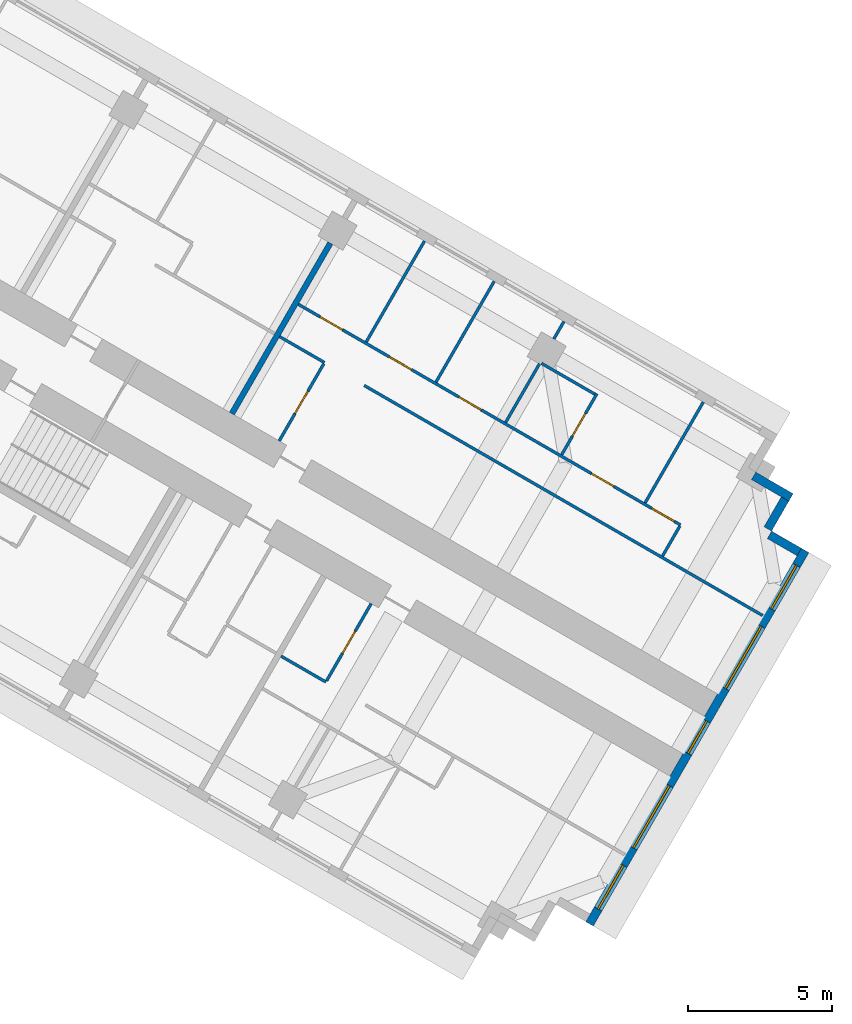
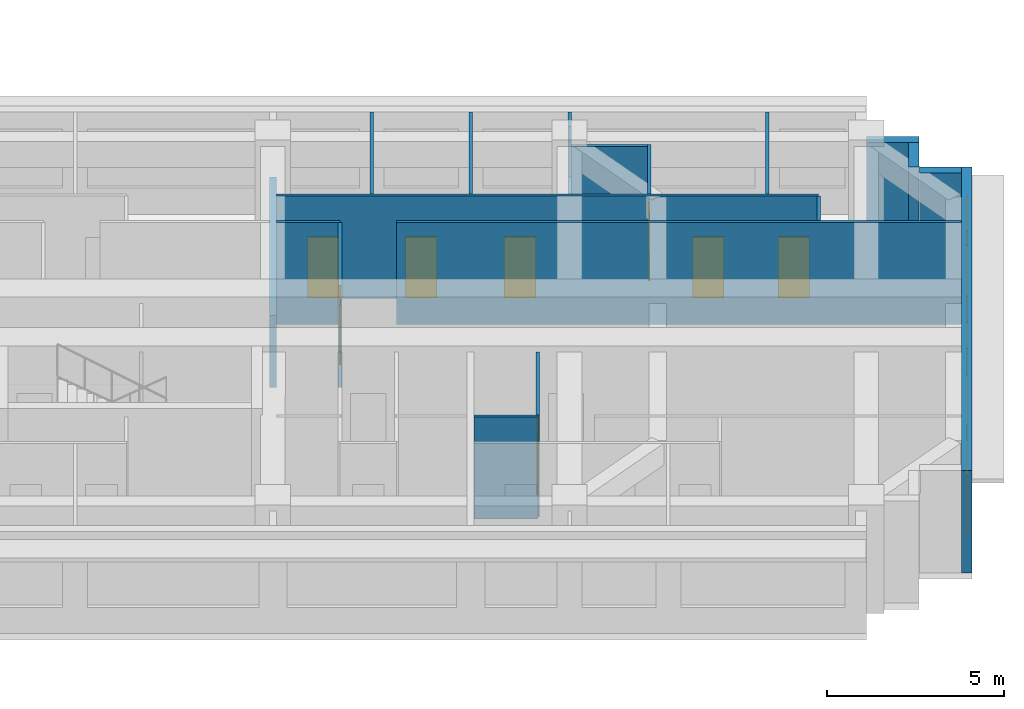
# One storey, part 11 of 14: 19 walls, 8 doors, 5 windows, 13 openings.
"""IFC4 building model written with IfcOpenShell, lengths in metres."""

import ifcopenshell
import ifcopenshell.guid

model = None  # the IFC model being written
_history = None  # IfcOwnerHistory: only IFC2X3 demands one
_inside = {}  # id of a spatial element -> (the spatial element, [elements in it])
_under = {}  # id of a project, library or spatial element -> (it, [spatial elements below it])
_declared = {}  # id of a project -> (the project, [libraries it declares])
_typed = {}  # id of a type object -> (the type object, [elements of that type])
_made_of = {}  # id of a material, layer set ... -> (it, [elements and type objects made of it])


def new_model(schema):
    """Start an empty IFC model of exactly this schema.

    Asked for "IFC4X3", IfcOpenShell would pick the latest addendum, in which some entities
    have other attributes; the version numbers below select the first issue.
    IFC2X3 requires an IfcOwnerHistory on every rooted entity: one is made here for all.
    """
    global model, _history
    if schema == "IFC4X3":
        model = ifcopenshell.file(schema_version=(4, 3, 0, 0))
    else:
        model = ifcopenshell.file(schema=schema)
    _inside.clear()
    _under.clear()
    _declared.clear()
    _typed.clear()
    _made_of.clear()
    _history = None
    if model.schema == "IFC2X3":
        org = make("IfcOrganization", Name="unknown")
        user = make(
            "IfcPersonAndOrganization",
            ThePerson=make("IfcPerson", FamilyName="unknown"),
            TheOrganization=org,
        )
        app = make(
            "IfcApplication",
            ApplicationDeveloper=org,
            Version="unknown",
            ApplicationFullName="unknown",
            ApplicationIdentifier="unknown",
        )
        _history = make(
            "IfcOwnerHistory",
            OwningUser=user,
            OwningApplication=app,
            ChangeAction="ADDED",
            CreationDate=0,
        )
    return model


def make(cls, **values):
    """One entity of the class cls with the attributes given. An attribute that is None is left unset."""
    return model.create_entity(
        cls, **{name: value for name, value in values.items() if value is not None}
    )


def rooted(cls, **values):
    """An entity with a GlobalId (a new one), such as an element, a storey or a relation."""
    return make(cls, GlobalId=ifcopenshell.guid.new(), OwnerHistory=_history, **values)


def si_unit(unit_type, name, prefix=None):
    """IfcSIUnit, for example si_unit("LENGTHUNIT", "METRE", prefix="MILLI")."""
    return make("IfcSIUnit", UnitType=unit_type, Prefix=prefix, Name=name)


def assignment(units):
    """IfcUnitAssignment: the units of a project."""
    return None if units is None else make("IfcUnitAssignment", Units=units)


def point(xyz):
    """IfcCartesianPoint."""
    return None if xyz is None else make("IfcCartesianPoint", Coordinates=xyz)


def direction(xyz):
    """IfcDirection."""
    return None if xyz is None else make("IfcDirection", DirectionRatios=xyz)


def frame(location, z_axis=None, x_axis=None):
    """IfcAxis2Placement3D, a coordinate frame: its origin and axes. An axis left out is left unset."""
    return make(
        "IfcAxis2Placement3D",
        Location=point(location),
        Axis=direction(z_axis),
        RefDirection=direction(x_axis),
    )


def frame_2d(location, x_axis=None):
    """IfcAxis2Placement2D, a coordinate frame in the plane: its origin and x axis."""
    return make(
        "IfcAxis2Placement2D", Location=point(location), RefDirection=direction(x_axis)
    )


def origin():
    """The frame at (0, 0, 0) with its axes left unset."""
    return frame((0.0, 0.0, 0.0))


def place(relative_to, where):
    """IfcLocalPlacement: puts the frame where relative to a parent placement (None: the world)."""
    return make(
        "IfcLocalPlacement", PlacementRelTo=relative_to, RelativePlacement=where
    )


def context(
    kind, dimensions, precision=None, world=None, true_north=None, identifier=None
):
    """IfcGeometricRepresentationContext, for example the 3D "Model" context."""
    return make(
        "IfcGeometricRepresentationContext",
        ContextIdentifier=identifier,
        ContextType=kind,
        CoordinateSpaceDimension=dimensions,
        Precision=precision,
        WorldCoordinateSystem=world,
        TrueNorth=true_north,
    )


def subcontext(parent, identifier, kind, view, scale=None):
    """IfcGeometricRepresentationSubContext, for example "Body" below "Model"."""
    return make(
        "IfcGeometricRepresentationSubContext",
        ContextIdentifier=identifier,
        ContextType=kind,
        ParentContext=parent,
        TargetScale=scale,
        TargetView=view,
    )


def project(units=None, contexts=None):
    """IfcProject with its units and contexts."""
    return rooted(
        "IfcProject",
        Name="project",
        RepresentationContexts=contexts,
        UnitsInContext=assignment(units),
    )


def spatial(cls, under=None, at=None, **own):
    """A site, building, storey or space (cls), placed at a placement, below another one or the project."""
    s = rooted(cls, ObjectPlacement=at, **own)
    if under is not None:
        _under.setdefault(under.id(), (under, []))[1].append(s)
    return s


def profile(cls, at=None, kind="AREA", **sizes):
    """A parametric profile (cls). Its sizes go by their IFC names, for example OverallWidth=200.0."""
    return make(cls, ProfileType=kind, Position=at, **sizes)


def rectangle(**sizes):
    """IfcRectangleProfileDef."""
    return profile("IfcRectangleProfileDef", **sizes)


def extrude(swept, where, along, depth):
    """IfcExtrudedAreaSolid: the profile swept, set in the frame where, extruded along a direction by depth."""
    return make(
        "IfcExtrudedAreaSolid",
        SweptArea=swept,
        Position=where,
        ExtrudedDirection=direction(along),
        Depth=depth,
    )


def shape(context_of_items, identifier, shape_type, items):
    """IfcShapeRepresentation: the items that make up one representation, for example the "Body"."""
    return make(
        "IfcShapeRepresentation",
        ContextOfItems=context_of_items,
        RepresentationIdentifier=identifier,
        RepresentationType=shape_type,
        Items=items,
    )


def material(Name=None, Category=None):
    """IfcMaterial."""
    return make("IfcMaterial", Name=Name, Category=Category)


def layer(
    of_material, thickness, ventilated=None, Name=None, Category=None, Priority=None
):
    """IfcMaterialLayer: one layer of a wall or slab, of a material (None: an air gap)."""
    return make(
        "IfcMaterialLayer",
        Material=of_material,
        LayerThickness=thickness,
        IsVentilated=ventilated,
        Name=Name,
        Category=Category,
        Priority=Priority,
    )


def layer_set(layers, Name=None):
    """IfcMaterialLayerSet."""
    return make("IfcMaterialLayerSet", MaterialLayers=layers, LayerSetName=Name)


def made_of(thing, what):
    """Note that an element or type object is made of a material, layer set ...; save() writes the relation."""
    if what is not None:
        _made_of.setdefault(what.id(), (what, []))[1].append(thing)
    return thing


def type_object(cls, material=None, **own):
    """A type object (cls), such as IfcWallType, which elements share."""
    return made_of(rooted(cls, **own), material)


def element(
    cls,
    number,
    at=None,
    inside=None,
    cuts=None,
    type_object=None,
    material=None,
    context=None,
    identifier="Body",
    shape_type=None,
    held_by="IfcProductDefinitionShape",
    body=None,
    shapes=None,
    **own,
):
    """One element of the class cls, such as IfcWall. Its Tag is "e" and its number.

    at: its placement. inside: the storey or other place that contains it. cuts: it is an
    opening in that element (IfcRelVoidsElement). A single representation is given by context,
    identifier, shape_type and body (its items); several are given by shapes. held_by: the class
    of the entity that holds the representations. save() writes the other relations.
    """
    e = rooted(cls, Tag="e%d" % number, ObjectPlacement=at, **own)
    if body is not None:
        shapes = [shape(context, identifier, shape_type, body)]
    if shapes is not None:
        e.Representation = make(held_by, Representations=shapes)
    if inside is not None:
        _inside.setdefault(inside.id(), (inside, []))[1].append(e)
    if cuts is not None:
        rooted(
            "IfcRelVoidsElement", RelatingBuildingElement=cuts, RelatedOpeningElement=e
        )
    if type_object is not None:
        _typed.setdefault(type_object.id(), (type_object, []))[1].append(e)
    return made_of(e, material)


def fill(opening, filler):
    """IfcRelFillsElement: the door or window that sits in an opening."""
    return rooted(
        "IfcRelFillsElement",
        RelatingOpeningElement=opening,
        RelatedBuildingElement=filler,
    )


def aggregate(whole, parts):
    """IfcRelAggregates: a whole, such as a stair, and the parts it consists of."""
    return rooted("IfcRelAggregates", RelatingObject=whole, RelatedObjects=parts)


def save(model, path):
    """Write the relations noted so far, then the file.

    IfcRelAggregates (storeys below a building ...), IfcRelContainedInSpatialStructure (elements
    in a storey), IfcRelDefinesByType, IfcRelAssociatesMaterial and IfcRelDeclares: one each for
    every whole, place, type object, material and project.
    """
    for whole, parts in _under.values():
        aggregate(whole, parts)
    for where, things in _inside.values():
        rooted(
            "IfcRelContainedInSpatialStructure",
            RelatedElements=things,
            RelatingStructure=where,
        )
    for kind, things in _typed.values():
        rooted("IfcRelDefinesByType", RelatedObjects=things, RelatingType=kind)
    for what, things in _made_of.values():
        rooted("IfcRelAssociatesMaterial", RelatedObjects=things, RelatingMaterial=what)
    for by, libraries in _declared.values():
        rooted("IfcRelDeclares", RelatingContext=by, RelatedDefinitions=libraries)
    model.write(path)


model = new_model("IFC4")

# Units and contexts
model_context = context("Model", 3, precision=1e-05, world=origin(), true_north=direction((0.0, 1.0)))
body_context = subcontext(model_context, "Body", "Model", "MODEL_VIEW")
ifc_project = project(units=[si_unit("LENGTHUNIT", "METRE"), si_unit("AREAUNIT", "SQUARE_METRE"), si_unit("VOLUMEUNIT", "CUBIC_METRE"), si_unit("PLANEANGLEUNIT", "RADIAN"), si_unit("MASSUNIT", "GRAM", prefix="KILO")], contexts=[model_context])

# Site, building, storey
site_placement = place(None, origin())
site = spatial("IfcSite", under=ifc_project, at=site_placement, CompositionType="ELEMENT")
building_placement = place(site_placement, origin())
building = spatial("IfcBuilding", under=site, at=building_placement, Name="Impinga Residences", CompositionType="ELEMENT")
storey_placement = place(building_placement, frame((0.0, 0.0, 154.75)))
storey = spatial("IfcBuildingStorey", under=building, at=storey_placement, Name="L38", CompositionType="ELEMENT", Elevation=154.75)

# Walls
ifc_material_1 = material(Name="Terracotta rainscreen on blockwork", Category="masonry")
ifc_layer_1 = layer(ifc_material_1, 0.300048828125)
ifc_layer_set_1 = layer_set([ifc_layer_1], Name="EW1 external wall, terracotta rainscreen on blockwork 300")
wall_type_1 = type_object("IfcWallType", Name="EW1 external wall, terracotta rainscreen on blockwork 300", PredefinedType="SOLIDWALL", material=ifc_layer_set_1)
wall_1_placement = place(storey_placement, frame((43.42333984375, -14.8515625, 0.0), z_axis=(0.0, 0.0, 1.0), x_axis=(0.866031096941, -0.499990139034, 0.0)))
element("IfcWall", 1, at=wall_1_placement, inside=storey, type_object=wall_type_1, Name="External wall EW1 L38", PredefinedType="SOLIDWALL", context=body_context, shape_type="SweptSolid", body=[
    extrude(rectangle(XDim=1.5, YDim=0.300048828125, at=frame_2d((0.75, 0.0))), origin(), (0.0, 0.0, 1.0), 3.530029296875),
])
wall_2_placement = place(storey_placement, frame((44.517578125, -15.65625, 0.0), z_axis=(0.0, 0.0, 1.0), x_axis=(-0.500033551112, -0.866006032174, 0.0)))
element("IfcWall", 2, at=wall_2_placement, inside=storey, type_object=wall_type_1, Name="External wall EW1 L38", PredefinedType="SOLIDWALL", context=body_context, shape_type="SweptSolid", body=[
    extrude(rectangle(XDim=1.2001953125, YDim=0.300048828125, at=frame_2d((0.60009765625, 0.0))), origin(), (0.0, 0.0, 1.0), 3.530029296875),
])
wall_3_placement = place(storey_placement, frame((43.976806640625, -16.903076171875, 0.0), z_axis=(0.0, 0.0, 1.0), x_axis=(0.866059708757, -0.499940577336, 0.0)))
element("IfcWall", 3, at=wall_3_placement, inside=storey, type_object=wall_type_1, Name="External wall EW1 L38", PredefinedType="SOLIDWALL", context=body_context, shape_type="SweptSolid", body=[
    extrude(rectangle(XDim=1.195068359375, YDim=0.300048828125, at=frame_2d((0.59765625, 0.0))), origin(), (0.0, 0.0, 1.0), 3.530029296875),
])

# Wall, openings, windows
wall_4_placement = place(storey_placement, frame((45.216552734375, -17.445556640625, 0.0), z_axis=(0.0, 0.0, 1.0), x_axis=(-0.499997186618, -0.866027028085, 0.0)))
wall_4 = element("IfcWall", 4, at=wall_4_placement, inside=storey, type_object=wall_type_1, Name="External wall EW1 L38", PredefinedType="SOLIDWALL", context=body_context, shape_type="SweptSolid", body=[
    extrude(rectangle(XDim=15.0, YDim=0.300048828125, at=frame_2d((7.5, 0.0))), origin(), (0.0, 0.0, 1.0), 3.530029296875),
])
opening_1_placement = place(wall_4_placement, frame((0.60009765625, 0.0, 0.89990234375)))
opening_1 = element("IfcOpeningElement", 5, at=opening_1_placement, cuts=wall_4, Name="Opening W1", PredefinedType="OPENING", context=body_context, shape_type="SweptSolid", body=[
    extrude(rectangle(XDim=1.75, YDim=2.050048828125, at=frame_2d((0.875, 1.02490234375))), frame((0.0, 0.159912109375, 0.0), z_axis=(0.0, -1.0, 0.0), x_axis=(1.0, 0.0, 0.0)), (0.0, 0.0, 1.0), 0.320068359375),
])
opening_2_placement = place(wall_4_placement, frame((3.050048828125, 0.0, 0.89990234375)))
opening_2 = element("IfcOpeningElement", 6, at=opening_2_placement, cuts=wall_4, Name="Opening W2", PredefinedType="OPENING", context=body_context, shape_type="SweptSolid", body=[
    extrude(rectangle(XDim=2.5, YDim=2.050048828125, at=frame_2d((1.25, 1.02490234375))), frame((0.0, 0.159912109375, 0.0), z_axis=(0.0, -1.0, 0.0), x_axis=(1.0, 0.0, 0.0)), (0.0, 0.0, 1.0), 0.320068359375),
])
opening_3_placement = place(wall_4_placement, frame((6.85009765625, 0.0, 0.89990234375)))
opening_3 = element("IfcOpeningElement", 7, at=opening_3_placement, cuts=wall_4, Name="Opening WE1", PredefinedType="OPENING", context=body_context, shape_type="SweptSolid", body=[
    extrude(rectangle(XDim=1.300048828125, YDim=2.050048828125, at=frame_2d((0.64990234375, 1.02490234375))), frame((0.0, 0.159912109375, 0.0), z_axis=(0.0, -1.0, 0.0), x_axis=(1.0, 0.0, 0.0)), (0.0, 0.0, 1.0), 0.320068359375),
])
opening_4_placement = place(wall_4_placement, frame((9.449951171875, 0.0, 0.89990234375)))
opening_4 = element("IfcOpeningElement", 8, at=opening_4_placement, cuts=wall_4, Name="Opening W2", PredefinedType="OPENING", context=body_context, shape_type="SweptSolid", body=[
    extrude(rectangle(XDim=2.5, YDim=2.050048828125, at=frame_2d((1.25, 1.02490234375))), frame((0.0, 0.159912109375, 0.0), z_axis=(0.0, -1.0, 0.0), x_axis=(1.0, 0.0, 0.0)), (0.0, 0.0, 1.0), 0.320068359375),
])
opening_5_placement = place(wall_4_placement, frame((12.64990234375, 0.0, 0.89990234375)))
opening_5 = element("IfcOpeningElement", 9, at=opening_5_placement, cuts=wall_4, Name="Opening W1", PredefinedType="OPENING", context=body_context, shape_type="SweptSolid", body=[
    extrude(rectangle(XDim=1.75, YDim=2.050048828125, at=frame_2d((0.875, 1.02490234375))), frame((0.0, 0.159912109375, 0.0), z_axis=(0.0, -1.0, 0.0), x_axis=(1.0, 0.0, 0.0)), (0.0, 0.0, 1.0), 0.320068359375),
])
ifc_material_2 = material(Name="Aluminium window, clear double glazing", Category="aluminium")
window_type_1 = type_object("IfcWindowType", Name="W1 ribbon window 1750x2050", PartitioningType="SINGLE_PANEL", PredefinedType="WINDOW", material=ifc_material_2)
window_1_placement = place(opening_1_placement, origin())
window_1 = element("IfcWindow", 10, at=window_1_placement, inside=storey, type_object=window_type_1, Name="Window L38", OverallHeight=2.050048828125, OverallWidth=1.75, PartitioningType="SINGLE_PANEL", PredefinedType="WINDOW", context=body_context, shape_type="SweptSolid", body=[
    extrude(rectangle(XDim=1.75, YDim=2.050048828125, at=frame_2d((0.875, 1.02490234375))), frame((0.0, 0.030029296875, 0.0), z_axis=(0.0, -1.0, 0.0), x_axis=(1.0, 0.0, 0.0)), (0.0, 0.0, 1.0), 0.06005859375),
])
fill(opening_1, window_1)
window_2_placement = place(opening_5_placement, origin())
window_2 = element("IfcWindow", 11, at=window_2_placement, inside=storey, type_object=window_type_1, Name="Window L38", OverallHeight=2.050048828125, OverallWidth=1.75, PartitioningType="SINGLE_PANEL", PredefinedType="WINDOW", context=body_context, shape_type="SweptSolid", body=[
    extrude(rectangle(XDim=1.75, YDim=2.050048828125, at=frame_2d((0.875, 1.02490234375))), frame((0.0, 0.030029296875, 0.0), z_axis=(0.0, -1.0, 0.0), x_axis=(1.0, 0.0, 0.0)), (0.0, 0.0, 1.0), 0.06005859375),
])
fill(opening_5, window_2)
window_type_2 = type_object("IfcWindowType", Name="W2 ribbon window 2500x2050", PartitioningType="SINGLE_PANEL", PredefinedType="WINDOW", material=ifc_material_2)
window_3_placement = place(opening_2_placement, origin())
window_3 = element("IfcWindow", 12, at=window_3_placement, inside=storey, type_object=window_type_2, Name="Window L38", OverallHeight=2.050048828125, OverallWidth=2.5, PartitioningType="SINGLE_PANEL", PredefinedType="WINDOW", context=body_context, shape_type="SweptSolid", body=[
    extrude(rectangle(XDim=2.5, YDim=2.050048828125, at=frame_2d((1.25, 1.02490234375))), frame((0.0, 0.030029296875, 0.0), z_axis=(0.0, -1.0, 0.0), x_axis=(1.0, 0.0, 0.0)), (0.0, 0.0, 1.0), 0.06005859375),
])
fill(opening_2, window_3)
window_4_placement = place(opening_4_placement, origin())
window_4 = element("IfcWindow", 13, at=window_4_placement, inside=storey, type_object=window_type_2, Name="Window L38", OverallHeight=2.050048828125, OverallWidth=2.5, PartitioningType="SINGLE_PANEL", PredefinedType="WINDOW", context=body_context, shape_type="SweptSolid", body=[
    extrude(rectangle(XDim=2.5, YDim=2.050048828125, at=frame_2d((1.25, 1.02490234375))), frame((0.0, 0.030029296875, 0.0), z_axis=(0.0, -1.0, 0.0), x_axis=(1.0, 0.0, 0.0)), (0.0, 0.0, 1.0), 0.06005859375),
])
fill(opening_4, window_4)
window_type_3 = type_object("IfcWindowType", Name="WE1 corridor window 1300x2050", PartitioningType="SINGLE_PANEL", PredefinedType="WINDOW", material=ifc_material_2)
window_5_placement = place(opening_3_placement, origin())
window_5 = element("IfcWindow", 14, at=window_5_placement, inside=storey, type_object=window_type_3, Name="Window L38", OverallHeight=2.050048828125, OverallWidth=1.300048828125, PartitioningType="SINGLE_PANEL", PredefinedType="WINDOW", context=body_context, shape_type="SweptSolid", body=[
    extrude(rectangle(XDim=1.300048828125, YDim=2.050048828125, at=frame_2d((0.64990234375, 1.02490234375))), frame((0.0, 0.030029296875, 0.0), z_axis=(0.0, -1.0, 0.0), x_axis=(1.0, 0.0, 0.0)), (0.0, 0.0, 1.0), 0.06005859375),
])
fill(opening_3, window_5)

# Walls
ifc_material_3 = material(Name="Gypsum board on steel studs", Category="steel")
ifc_layer_2 = layer(ifc_material_3, 0.10009765625)
ifc_layer_set_2 = layer_set([ifc_layer_2], Name="Gypsum board on steel studs")
wall_type_2 = type_object("IfcWallType", Name="IP1 partition 100", PredefinedType="PARTITIONING", material=ifc_layer_set_2)
wall_5_placement = place(storey_placement, frame((26.935791015625, -10.0087890625, 0.0), z_axis=(0.0, 0.0, 1.0), x_axis=(0.865989075817, -0.500062916607, 0.0)))
element("IfcWall", 15, at=wall_5_placement, inside=storey, type_object=wall_type_2, Name="Partition L38-EA3:DIV0", PredefinedType="PARTITIONING", context=body_context, shape_type="SweptSolid", body=[
    extrude(rectangle(XDim=1.800048828125, YDim=0.10009765625, at=frame_2d((0.89990234375, 0.0))), origin(), (0.0, 0.0, 1.0), 3.530029296875),
])
wall_6_placement = place(storey_placement, frame((29.88037109375, -11.708740234375, 0.0), z_axis=(0.0, 0.0, 1.0), x_axis=(0.866026010844, -0.49999894854, 0.0)))
element("IfcWall", 16, at=wall_6_placement, inside=storey, type_object=wall_type_2, Name="Partition L38-EA3:DIV1", PredefinedType="PARTITIONING", context=body_context, shape_type="SweptSolid", body=[
    extrude(rectangle(XDim=16.0, YDim=0.10009765625, at=frame_2d((8.0, 0.0))), origin(), (0.0, 0.0, 1.0), 3.530029296875),
])

# Wall, openings, doors
wall_7_placement = place(storey_placement, frame((27.5859375, -8.883056640625, 0.0), z_axis=(0.0, 0.0, 1.0), x_axis=(0.866023490266, -0.500003314297, 0.0)))
wall_7 = element("IfcWall", 17, at=wall_7_placement, inside=storey, type_object=wall_type_2, Name="Partition L38-EA3:STRIP", PredefinedType="PARTITIONING", context=body_context, shape_type="SweptSolid", body=[
    extrude(rectangle(XDim=15.35009765625, YDim=0.10009765625, at=frame_2d((7.675048828125, 0.0))), origin(), (0.0, 0.0, 1.0), 3.530029296875),
])
opening_6_placement = place(wall_7_placement, frame((0.875, 0.0, 0.0)))
opening_6 = element("IfcOpeningElement", 18, at=opening_6_placement, cuts=wall_7, Name="Opening D2", PredefinedType="OPENING", context=body_context, shape_type="SweptSolid", body=[
    extrude(rectangle(XDim=0.89990234375, YDim=2.10009765625, at=frame_2d((0.449951171875, 1.050048828125))), frame((0.0, 0.06005859375, 0.0), z_axis=(0.0, -1.0, 0.0), x_axis=(1.0, 0.0, 0.0)), (0.0, 0.0, 1.0), 0.1201171875),
])
opening_7_placement = place(wall_7_placement, frame((3.64990234375, 0.0, 0.0)))
opening_7 = element("IfcOpeningElement", 19, at=opening_7_placement, cuts=wall_7, Name="Opening D2", PredefinedType="OPENING", context=body_context, shape_type="SweptSolid", body=[
    extrude(rectangle(XDim=0.89990234375, YDim=2.10009765625, at=frame_2d((0.449951171875, 1.050048828125))), frame((0.0, 0.06005859375, 0.0), z_axis=(0.0, -1.0, 0.0), x_axis=(1.0, 0.0, 0.0)), (0.0, 0.0, 1.0), 0.1201171875),
])
opening_8_placement = place(wall_7_placement, frame((6.449951171875, 0.0, 0.0)))
opening_8 = element("IfcOpeningElement", 20, at=opening_8_placement, cuts=wall_7, Name="Opening D2", PredefinedType="OPENING", context=body_context, shape_type="SweptSolid", body=[
    extrude(rectangle(XDim=0.89990234375, YDim=2.10009765625, at=frame_2d((0.449951171875, 1.050048828125))), frame((0.0, 0.06005859375, 0.0), z_axis=(0.0, -1.0, 0.0), x_axis=(1.0, 0.0, 0.0)), (0.0, 0.0, 1.0), 0.1201171875),
])
opening_9_placement = place(wall_7_placement, frame((11.77490234375, 0.0, 0.0)))
opening_9 = element("IfcOpeningElement", 21, at=opening_9_placement, cuts=wall_7, Name="Opening D2", PredefinedType="OPENING", context=body_context, shape_type="SweptSolid", body=[
    extrude(rectangle(XDim=0.89990234375, YDim=2.10009765625, at=frame_2d((0.449951171875, 1.050048828125))), frame((0.0, 0.06005859375, 0.0), z_axis=(0.0, -1.0, 0.0), x_axis=(1.0, 0.0, 0.0)), (0.0, 0.0, 1.0), 0.1201171875),
])
opening_10_placement = place(wall_7_placement, frame((14.199951171875, 0.0, 0.0)))
opening_10 = element("IfcOpeningElement", 22, at=opening_10_placement, cuts=wall_7, Name="Opening D2", PredefinedType="OPENING", context=body_context, shape_type="SweptSolid", body=[
    extrude(rectangle(XDim=0.89990234375, YDim=2.10009765625, at=frame_2d((0.449951171875, 1.050048828125))), frame((0.0, 0.06005859375, 0.0), z_axis=(0.0, -1.0, 0.0), x_axis=(1.0, 0.0, 0.0)), (0.0, 0.0, 1.0), 0.1201171875),
])
ifc_material_4 = material(Name="Timber door set", Category="wood")
door_type = type_object("IfcDoorType", Name="D2 internal door 900x2100", OperationType="SINGLE_SWING_LEFT", PredefinedType="DOOR", material=ifc_material_4)
door_1_placement = place(opening_6_placement, origin())
door_1 = element("IfcDoor", 23, at=door_1_placement, inside=storey, type_object=door_type, Name="Apartment L38-EA3 room door", OperationType="SINGLE_SWING_LEFT", OverallHeight=2.10009765625, OverallWidth=0.89990234375, PredefinedType="DOOR", context=body_context, shape_type="SweptSolid", body=[
    extrude(rectangle(XDim=0.89990234375, YDim=2.10009765625, at=frame_2d((0.449951171875, 1.050048828125))), frame((0.0, 0.02490234375, 0.0), z_axis=(0.0, -1.0, 0.0), x_axis=(1.0, 0.0, 0.0)), (0.0, 0.0, 1.0), 0.050048828125),
])
fill(opening_6, door_1)
door_2_placement = place(opening_7_placement, origin())
door_2 = element("IfcDoor", 24, at=door_2_placement, inside=storey, type_object=door_type, Name="Apartment L38-EA3 room door", OperationType="SINGLE_SWING_LEFT", OverallHeight=2.10009765625, OverallWidth=0.89990234375, PredefinedType="DOOR", context=body_context, shape_type="SweptSolid", body=[
    extrude(rectangle(XDim=0.89990234375, YDim=2.10009765625, at=frame_2d((0.449951171875, 1.050048828125))), frame((0.0, 0.02490234375, 0.0), z_axis=(0.0, -1.0, 0.0), x_axis=(1.0, 0.0, 0.0)), (0.0, 0.0, 1.0), 0.050048828125),
])
fill(opening_7, door_2)
door_3_placement = place(opening_8_placement, origin())
door_3 = element("IfcDoor", 25, at=door_3_placement, inside=storey, type_object=door_type, Name="Apartment L38-EA3 room door", OperationType="SINGLE_SWING_LEFT", OverallHeight=2.10009765625, OverallWidth=0.89990234375, PredefinedType="DOOR", context=body_context, shape_type="SweptSolid", body=[
    extrude(rectangle(XDim=0.89990234375, YDim=2.10009765625, at=frame_2d((0.449951171875, 1.050048828125))), frame((0.0, 0.02490234375, 0.0), z_axis=(0.0, -1.0, 0.0), x_axis=(1.0, 0.0, 0.0)), (0.0, 0.0, 1.0), 0.050048828125),
])
fill(opening_8, door_3)
door_4_placement = place(opening_9_placement, origin())
door_4 = element("IfcDoor", 26, at=door_4_placement, inside=storey, type_object=door_type, Name="Apartment L38-EA3 room door", OperationType="SINGLE_SWING_RIGHT", OverallHeight=2.10009765625, OverallWidth=0.89990234375, PredefinedType="DOOR", context=body_context, shape_type="SweptSolid", body=[
    extrude(rectangle(XDim=0.89990234375, YDim=2.10009765625, at=frame_2d((0.449951171875, 1.050048828125))), frame((0.0, 0.02490234375, 0.0), z_axis=(0.0, -1.0, 0.0), x_axis=(1.0, 0.0, 0.0)), (0.0, 0.0, 1.0), 0.050048828125),
])
fill(opening_9, door_4)
door_5_placement = place(opening_10_placement, origin())
door_5 = element("IfcDoor", 27, at=door_5_placement, inside=storey, type_object=door_type, Name="Apartment L38-EA3 room door", OperationType="SINGLE_SWING_RIGHT", OverallHeight=2.10009765625, OverallWidth=0.89990234375, PredefinedType="DOOR", context=body_context, shape_type="SweptSolid", body=[
    extrude(rectangle(XDim=0.89990234375, YDim=2.10009765625, at=frame_2d((0.449951171875, 1.050048828125))), frame((0.0, 0.02490234375, 0.0), z_axis=(0.0, -1.0, 0.0), x_axis=(1.0, 0.0, 0.0)), (0.0, 0.0, 1.0), 0.050048828125),
])
fill(opening_10, door_5)

# Wall
wall_8_placement = place(storey_placement, frame((40.25439453125, -17.640625, 0.0), z_axis=(0.0, 0.0, 1.0), x_axis=(0.499880961361, 0.866094119867, 0.0)))
element("IfcWall", 28, at=wall_8_placement, inside=storey, type_object=wall_type_2, Name="Partition L38-EA3:SE1", PredefinedType="PARTITIONING", context=body_context, shape_type="SweptSolid", body=[
    extrude(rectangle(XDim=1.199951171875, YDim=0.10009765625, at=frame_2d((0.60009765625, 0.0))), origin(), (0.0, 0.0, 1.0), 3.530029296875),
])

# Wall, opening, door
wall_9_placement = place(storey_placement, frame((26.919677734375, -13.63671875, 0.0), z_axis=(0.0, 0.0, 1.0), x_axis=(0.500026960575, 0.86600983753, 0.0)))
wall_9 = element("IfcWall", 29, at=wall_9_placement, inside=storey, type_object=wall_type_2, Name="Partition L38-EA3:IB1", PredefinedType="PARTITIONING", context=body_context, shape_type="SweptSolid", body=[
    extrude(rectangle(XDim=3.099853515625, YDim=0.10009765625, at=frame_2d((1.5498046875, 0.0))), origin(), (0.0, 0.0, 1.0), 3.530029296875),
])
opening_11_placement = place(wall_9_placement, frame((1.10009765625, 0.0, 0.0)))
opening_11 = element("IfcOpeningElement", 30, at=opening_11_placement, cuts=wall_9, Name="Opening D2", PredefinedType="OPENING", context=body_context, shape_type="SweptSolid", body=[
    extrude(rectangle(XDim=0.89990234375, YDim=2.10009765625, at=frame_2d((0.449951171875, 1.050048828125))), frame((0.0, 0.06005859375, 0.0), z_axis=(0.0, -1.0, 0.0), x_axis=(1.0, 0.0, 0.0)), (0.0, 0.0, 1.0), 0.1201171875),
])
door_6_placement = place(opening_11_placement, origin())
door_6 = element("IfcDoor", 31, at=door_6_placement, inside=storey, type_object=door_type, Name="Apartment L38-EA3 bathroom door", OperationType="SINGLE_SWING_LEFT", OverallHeight=2.10009765625, OverallWidth=0.89990234375, PredefinedType="DOOR", context=body_context, shape_type="SweptSolid", body=[
    extrude(rectangle(XDim=0.89990234375, YDim=2.10009765625, at=frame_2d((0.449951171875, 1.050048828125))), frame((0.0, 0.02490234375, 0.0), z_axis=(0.0, -1.0, 0.0), x_axis=(1.0, 0.0, 0.0)), (0.0, 0.0, 1.0), 0.050048828125),
])
fill(opening_11, door_6)

# Walls
for number, where, z_axis, x_axis, name in (
    (32, (29.94921875, -10.189697265625, 0.0), (0.0, 0.0, 1.0), (0.499990325971, 0.866030989016, 0.0), "Partition L38-EA3:OB1"),
    (33, (32.3740234375, -11.589599609375, 0.0), (0.0, 0.0, 1.0), (0.499990325971, 0.866030989016, 0.0), "Partition L38-EA3:OB2"),
):
    element("IfcWall", number, at=place(storey_placement, frame(where, z_axis=z_axis, x_axis=x_axis)), inside=storey, type_object=wall_type_2, Name=name, PredefinedType="PARTITIONING", context=body_context, shape_type="SweptSolid", body=[
        extrude(rectangle(XDim=4.0498046875, YDim=0.10009765625, at=frame_2d((2.02490234375, 0.0))), origin(), (0.0, 0.0, 1.0), 3.530029296875),
    ])
wall_10_placement = place(storey_placement, frame((34.798828125, -12.98974609375, 0.0), z_axis=(0.0, 0.0, 1.0), x_axis=(0.500016218704, 0.866016039709, 0.0)))
element("IfcWall", 34, at=wall_10_placement, inside=storey, type_object=wall_type_2, Name="Partition L38-EA3:OB3", PredefinedType="PARTITIONING", context=body_context, shape_type="SweptSolid", body=[
    extrude(rectangle(XDim=2.35009765625, YDim=0.10009765625, at=frame_2d((1.175048828125, 0.0))), origin(), (0.0, 0.0, 1.0), 2.47998046875),
])
wall_11_placement = place(storey_placement, frame((36.473876953125, -10.088623046875, 0.0), z_axis=(0.0, 0.0, 1.0), x_axis=(0.499853302173, 0.866110083249, 0.0)))
element("IfcWall", 35, at=wall_11_placement, inside=storey, type_object=wall_type_2, Name="Partition L38-EA3:OB3b", PredefinedType="PARTITIONING", context=body_context, shape_type="SweptSolid", body=[
    extrude(rectangle(XDim=0.699951171875, YDim=0.10009765625, at=frame_2d((0.35009765625, 0.0))), origin(), (0.0, 0.0, 1.0), 3.530029296875),
])
wall_12_placement = place(storey_placement, frame((39.648681640625, -15.789794921875, 0.0), z_axis=(0.0, 0.0, 1.0), x_axis=(0.499964223975, 0.866046058097, 0.0)))
element("IfcWall", 36, at=wall_12_placement, inside=storey, type_object=wall_type_2, Name="Partition L38-EA3:OB4", PredefinedType="PARTITIONING", context=body_context, shape_type="SweptSolid", body=[
    extrude(rectangle(XDim=4.050048828125, YDim=0.10009765625, at=frame_2d((2.02490234375, 0.0))), origin(), (0.0, 0.0, 1.0), 3.530029296875),
])

# Wall, opening, door
wall_13_placement = place(storey_placement, frame((36.747314453125, -14.11474609375, 0.0), z_axis=(0.0, 0.0, 1.0), x_axis=(0.500018594424, 0.866014668023, 0.0)))
wall_13 = element("IfcWall", 37, at=wall_13_placement, inside=storey, type_object=wall_type_2, Name="Partition L38-EA3:EN1", PredefinedType="PARTITIONING", context=body_context, shape_type="SweptSolid", body=[
    extrude(rectangle(XDim=2.4501953125, YDim=0.10009765625, at=frame_2d((1.22509765625, 0.0))), origin(), (0.0, 0.0, 1.0), 3.530029296875),
])
opening_12_placement = place(wall_13_placement, frame((0.75, 0.0, 0.0)))
opening_12 = element("IfcOpeningElement", 38, at=opening_12_placement, cuts=wall_13, Name="Opening D2", PredefinedType="OPENING", context=body_context, shape_type="SweptSolid", body=[
    extrude(rectangle(XDim=0.89990234375, YDim=2.10009765625, at=frame_2d((0.449951171875, 1.050048828125))), frame((0.0, 0.06005859375, 0.0), z_axis=(0.0, -1.0, 0.0), x_axis=(1.0, 0.0, 0.0)), (0.0, 0.0, 1.0), 0.1201171875),
])
door_7_placement = place(opening_12_placement, origin())
door_7 = element("IfcDoor", 39, at=door_7_placement, inside=storey, type_object=door_type, Name="Apartment L38-EA3 en-suite door", OperationType="SINGLE_SWING_LEFT", OverallHeight=2.10009765625, OverallWidth=0.89990234375, PredefinedType="DOOR", context=body_context, shape_type="SweptSolid", body=[
    extrude(rectangle(XDim=0.89990234375, YDim=2.10009765625, at=frame_2d((0.449951171875, 1.050048828125))), frame((0.0, 0.02490234375, 0.0), z_axis=(0.0, -1.0, 0.0), x_axis=(1.0, 0.0, 0.0)), (0.0, 0.0, 1.0), 0.050048828125),
])
fill(opening_12, door_7)

# Walls
wall_14_placement = place(storey_placement, frame((36.042236328125, -10.936279296875, 0.0), z_axis=(0.0, 0.0, 1.0), x_axis=(0.866019166195, -0.500010803666, 0.0)))
element("IfcWall", 40, at=wall_14_placement, inside=storey, type_object=wall_type_2, Name="Partition L38-EA3:EN2", PredefinedType="PARTITIONING", context=body_context, shape_type="SweptSolid", body=[
    extrude(rectangle(XDim=2.14990234375, YDim=0.10009765625, at=frame_2d((1.074951171875, 0.0))), origin(), (0.0, 0.0, 1.0), 3.530029296875),
])
wall_15_placement = place(storey_placement, frame((26.985595703125, -21.122802734375, 0.0), z_axis=(0.0, 0.0, 1.0), x_axis=(0.866047807691, -0.499961193289, 0.0)))
element("IfcWall", 41, at=wall_15_placement, inside=storey, type_object=wall_type_2, Name="Partition L38-EF3:DIV0", PredefinedType="PARTITIONING", context=body_context, shape_type="SweptSolid", body=[
    extrude(rectangle(XDim=1.800048828125, YDim=0.10009765625, at=frame_2d((0.89990234375, 0.0))), origin(), (0.0, 0.0, 1.0), 3.530029296875),
])

# Wall, opening, door
wall_16_placement = place(storey_placement, frame((30.119384765625, -19.294677734375, 0.0), z_axis=(0.0, 0.0, 1.0), x_axis=(-0.49999285859, -0.86602952684, 0.0)))
wall_16 = element("IfcWall", 42, at=wall_16_placement, inside=storey, type_object=wall_type_2, Name="Partition L38-EF3:IB1", PredefinedType="PARTITIONING", context=body_context, shape_type="SweptSolid", body=[
    extrude(rectangle(XDim=3.10009765625, YDim=0.10009765625, at=frame_2d((1.550048828125, 0.0))), origin(), (0.0, 0.0, 1.0), 3.530029296875),
])
opening_13_placement = place(wall_16_placement, frame((1.10009765625, 0.0, 0.0)))
opening_13 = element("IfcOpeningElement", 43, at=opening_13_placement, cuts=wall_16, Name="Opening D2", PredefinedType="OPENING", context=body_context, shape_type="SweptSolid", body=[
    extrude(rectangle(XDim=0.89990234375, YDim=2.10009765625, at=frame_2d((0.449951171875, 1.050048828125))), frame((0.0, 0.06005859375, 0.0), z_axis=(0.0, -1.0, 0.0), x_axis=(1.0, 0.0, 0.0)), (0.0, 0.0, 1.0), 0.1201171875),
])
door_8_placement = place(opening_13_placement, origin())
door_8 = element("IfcDoor", 44, at=door_8_placement, inside=storey, type_object=door_type, Name="Apartment L38-EF3 bathroom door", OperationType="SINGLE_SWING_LEFT", OverallHeight=2.10009765625, OverallWidth=0.89990234375, PredefinedType="DOOR", context=body_context, shape_type="SweptSolid", body=[
    extrude(rectangle(XDim=0.89990234375, YDim=2.10009765625, at=frame_2d((0.449951171875, 1.050048828125))), frame((0.0, 0.02490234375, 0.0), z_axis=(0.0, -1.0, 0.0), x_axis=(1.0, 0.0, 0.0)), (0.0, 0.0, 1.0), 0.050048828125),
])
fill(opening_13, door_8)

# Wall
ifc_material_5 = material(Name="Concrete blockwork", Category="masonry")
ifc_layer_3 = layer(ifc_material_5, 0.199951171875)
ifc_layer_set_3 = layer_set([ifc_layer_3], Name="PW1 party wall between apartments 200")
wall_type_3 = type_object("IfcWallType", Name="PW1 party wall between apartments 200", PredefinedType="SOLIDWALL", material=ifc_layer_set_3)
wall_17_placement = place(storey_placement, frame((25.274169921875, -12.686767578125, 0.0), z_axis=(0.0, 0.0, 1.0), x_axis=(0.500014519185, 0.866017020967, 0.0)))
element("IfcWall", 45, at=wall_17_placement, inside=storey, type_object=wall_type_3, Name="Party wall between apartments L38-EA2:PARTY", PredefinedType="SOLIDWALL", context=body_context, shape_type="SweptSolid", body=[
    extrude(rectangle(XDim=6.849853515625, YDim=0.199951171875, at=frame_2d((3.4248046875, 0.0))), origin(), (0.0, 0.0, 1.0), 2.47998046875),
])

save(model, "model.ifc")
